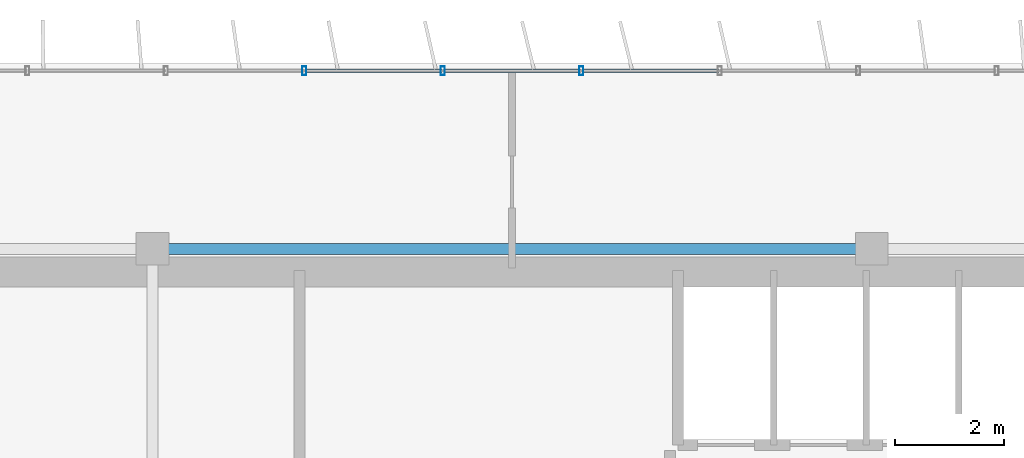
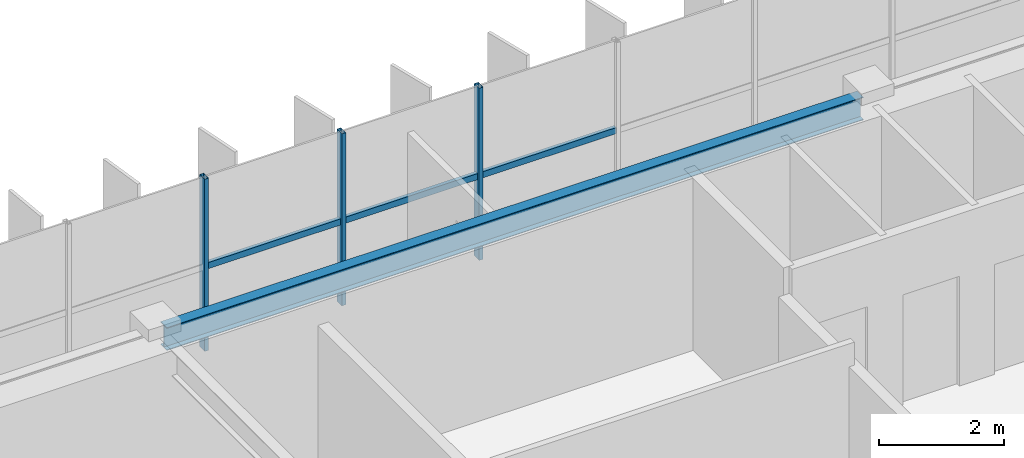
# One storey, part 9 of 23: 6 members, 1 beam, 1 element without a shape of its own.
"""IFC4 building model written with IfcOpenShell, lengths in metres."""

from ifc_helpers import new_model, si_unit, direction, frame, origin, origin_2d, place, context, subcontext, project, spatial, hollow_rectangle, i_section, extrude, source, transform, mapped, material, material_profile, profile_set, type_object, element, aggregate, save


model = new_model("IFC4")

# Units and contexts
model_context = context("Model", 3, precision=1e-05, world=origin(), true_north=direction((0.0, 1.0)))
body_context = subcontext(model_context, "Body", "Model", "MODEL_VIEW")
ifc_project = project(units=[si_unit("LENGTHUNIT", "METRE"), si_unit("AREAUNIT", "SQUARE_METRE"), si_unit("VOLUMEUNIT", "CUBIC_METRE"), si_unit("PLANEANGLEUNIT", "RADIAN"), si_unit("MASSUNIT", "GRAM", prefix="KILO")], contexts=[model_context])

# Site, building, storey
site_placement = place(None, origin())
site = spatial("IfcSite", under=ifc_project, at=site_placement, CompositionType="ELEMENT")
building_placement = place(site_placement, origin())
building = spatial("IfcBuilding", under=site, at=building_placement, Name="Trelvane Seafront Commons", CompositionType="ELEMENT")
storey_placement = place(building_placement, frame((0.0, 0.0, 263.10009765625)))
storey = spatial("IfcBuildingStorey", under=building, at=storey_placement, Name="L68", CompositionType="ELEMENT", Elevation=263.10009765625)

# Beam
ifc_material_1 = material(Name="Steel SM355 (S355)", Category="steel")
ifc_material_profile_1 = material_profile(ifc_material_1, i_section(OverallWidth=0.199951171875, OverallDepth=0.449951171875, WebThickness=0.009033203125, FlangeThickness=0.013916015625, at=origin_2d()), Name="H-450x200x9x14")
ifc_profile_set_1 = profile_set([ifc_material_profile_1], Name="Steel SM355 (S355)")
beam_type = type_object("IfcBeamType", Name="STR-SPD-H450", PredefinedType="SPANDREL", material=ifc_profile_set_1)
shared_shape_1 = source(origin(), body_context, "Body", "SweptSolid", [
    extrude(i_section(OverallWidth=0.199951171875, OverallDepth=0.449951171875, WebThickness=0.009033203125, FlangeThickness=0.013916015625, at=origin_2d()), origin(), (0.0, 0.0, 1.0), 12.89990234375),
])
beam_placement = place(storey_placement, frame((30.75, 45.10009765625, 3.14501953125), z_axis=(1.0, 0.0, 0.0), x_axis=(0.0, 1.0, 0.0)))
element("IfcBeam", 1, at=beam_placement, inside=storey, type_object=beam_type, Name="L68 Primary Girder G-25", PredefinedType="SPANDREL", context=body_context, shape_type="MappedRepresentation", body=[
    mapped(shared_shape_1, transform((0.0, 0.0, 0.0), x_axis=(1.0, 0.0, 0.0), y_axis=(0.0, 1.0, 0.0), z_axis=(0.0, 0.0, 1.0), scale=1.0)),
])

# Curtain wall, members
ifc_material_2 = material(Name="Anodised pale-silver aluminium", Category="aluminium")
curtain_wall_type = type_object("IfcCurtainWallType", Name="ARCH-CW5-UPTOWER", PredefinedType="NOTDEFINED", material=ifc_material_2)
curtain_wall_placement = place(storey_placement, origin())
curtain_wall = element("IfcCurtainWall", 2, at=curtain_wall_placement, inside=storey, type_object=curtain_wall_type, Name="CW-L68-0112", PredefinedType="NOTDEFINED")
ifc_material_profile_2 = material_profile(ifc_material_2, hollow_rectangle(XDim=0.070068359375, YDim=0.1201171875, WallThickness=0.00390625, at=origin_2d()), Name="TRAN-70x120x4")
ifc_profile_set_2 = profile_set([ifc_material_profile_2], Name="Anodised pale-silver aluminium")
member_type_1 = type_object("IfcMemberType", Name="ARCH-CW-TRAN-120", PredefinedType="USERDEFINED", material=ifc_profile_set_2)
shared_shape_2 = source(origin(), body_context, "Body", "SweptSolid", [
    extrude(hollow_rectangle(XDim=0.070068359375, YDim=0.1201171875, WallThickness=0.00390625, at=origin_2d()), origin(), (0.0, 0.0, 1.0), 2.51708984375),
])
member_1_placement = place(storey_placement, frame((35.94140625, 48.3701171875, 1.617919921875), z_axis=(1.0, 0.0, 0.0), x_axis=(0.0, 1.0, 0.0)))
member_1 = element("IfcMember", 3, at=member_1_placement, type_object=member_type_1, Name="CW-L68-0112-T08", ObjectType="TRANSOM", PredefinedType="USERDEFINED", context=body_context, shape_type="MappedRepresentation", body=[
    mapped(shared_shape_2, transform((0.0, 0.0, 0.0), x_axis=(1.0, 0.0, 0.0), y_axis=(0.0, 1.0, 0.0), z_axis=(0.0, 0.0, 1.0), scale=1.0)),
])
member_2_placement = place(storey_placement, frame((38.482666015625, 48.3701171875, 1.617919921875), z_axis=(1.0, 0.0, 0.0), x_axis=(0.0, 1.0, 0.0)))
member_2 = element("IfcMember", 4, at=member_2_placement, type_object=member_type_1, Name="CW-L68-0112-T09", ObjectType="TRANSOM", PredefinedType="USERDEFINED", context=body_context, shape_type="MappedRepresentation", body=[
    mapped(shared_shape_2, transform((0.0, 0.0, 0.0), x_axis=(1.0, 0.0, 0.0), y_axis=(0.0, 1.0, 0.0), z_axis=(0.0, 0.0, 1.0), scale=1.0)),
])
shared_shape_3 = source(origin(), body_context, "Body", "SweptSolid", [
    extrude(hollow_rectangle(XDim=0.070068359375, YDim=0.1201171875, WallThickness=0.00390625, at=origin_2d()), origin(), (0.0, 0.0, 1.0), 2.517333984375),
])
member_3_placement = place(storey_placement, frame((33.400146484375, 48.3701171875, 1.617919921875), z_axis=(1.0, 0.0, 0.0), x_axis=(0.0, 1.0, 0.0)))
member_3 = element("IfcMember", 5, at=member_3_placement, type_object=member_type_1, Name="CW-L68-0112-T07", ObjectType="TRANSOM", PredefinedType="USERDEFINED", context=body_context, shape_type="MappedRepresentation", body=[
    mapped(shared_shape_3, transform((0.0, 0.0, 0.0), x_axis=(1.0, 0.0, 0.0), y_axis=(0.0, 1.0, 0.0), z_axis=(0.0, 0.0, 1.0), scale=1.0)),
])
ifc_material_profile_3 = material_profile(ifc_material_2, hollow_rectangle(XDim=0.074951171875, YDim=0.159912109375, WallThickness=0.00390625, at=origin_2d()), Name="MULL-75x160x4")
ifc_profile_set_3 = profile_set([ifc_material_profile_3], Name="Anodised pale-silver aluminium")
member_type_2 = type_object("IfcMemberType", Name="ARCH-CW-MULL-160", PredefinedType="MULLION", material=ifc_profile_set_3)
shared_shape_4 = source(origin(), body_context, "Body", "SweptSolid", [
    extrude(hollow_rectangle(XDim=0.074951171875, YDim=0.159912109375, WallThickness=0.00390625, at=origin_2d()), origin(), (0.0, 0.0, 1.0), 3.369873046875),
])
member_4_placement = place(storey_placement, frame((33.38818359375, 48.3701171875, 0.0), z_axis=(0.0, 0.0, 1.0), x_axis=(1.0, 0.0, 0.0)))
member_4 = element("IfcMember", 6, at=member_4_placement, type_object=member_type_2, Name="CW-L68-0112-M07", PredefinedType="MULLION", context=body_context, shape_type="MappedRepresentation", body=[
    mapped(shared_shape_4, transform((0.0, 0.0, 0.0), x_axis=(1.0, 0.0, 0.0), y_axis=(0.0, 1.0, 0.0), z_axis=(0.0, 0.0, 1.0), scale=1.0)),
])
member_5_placement = place(storey_placement, frame((35.929443359375, 48.3701171875, 0.0), z_axis=(0.0, 0.0, 1.0), x_axis=(1.0, 0.0, 0.0)))
member_5 = element("IfcMember", 7, at=member_5_placement, type_object=member_type_2, Name="CW-L68-0112-M08", PredefinedType="MULLION", context=body_context, shape_type="MappedRepresentation", body=[
    mapped(shared_shape_4, transform((0.0, 0.0, 0.0), x_axis=(1.0, 0.0, 0.0), y_axis=(0.0, 1.0, 0.0), z_axis=(0.0, 0.0, 1.0), scale=1.0)),
])
member_6_placement = place(storey_placement, frame((38.470703125, 48.3701171875, 0.0), z_axis=(0.0, 0.0, 1.0), x_axis=(1.0, 0.0, 0.0)))
member_6 = element("IfcMember", 8, at=member_6_placement, type_object=member_type_2, Name="CW-L68-0112-M09", PredefinedType="MULLION", context=body_context, shape_type="MappedRepresentation", body=[
    mapped(shared_shape_4, transform((0.0, 0.0, 0.0), x_axis=(1.0, 0.0, 0.0), y_axis=(0.0, 1.0, 0.0), z_axis=(0.0, 0.0, 1.0), scale=1.0)),
])
aggregate(curtain_wall, [member_4, member_5, member_6, member_3, member_1, member_2])

save(model, "model.ifc")
